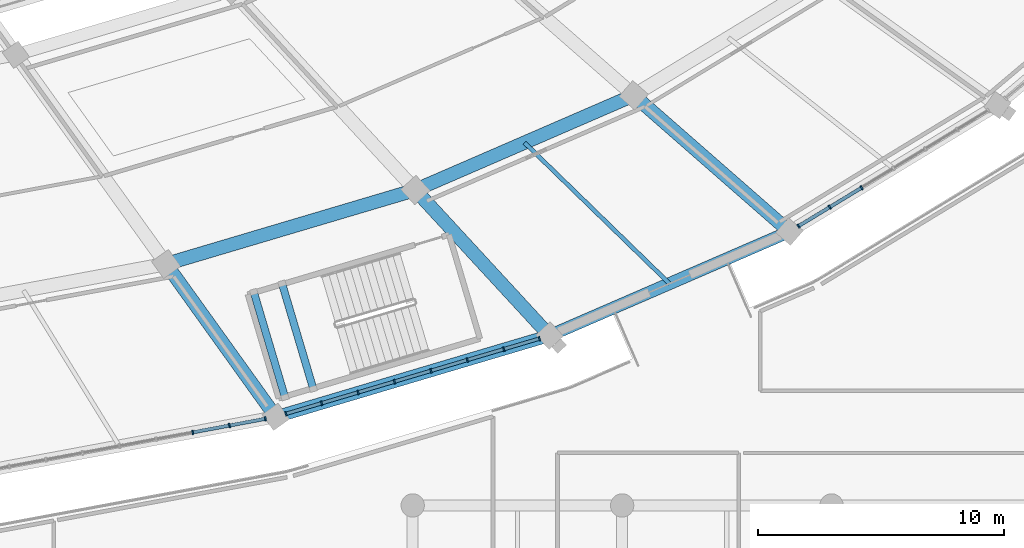
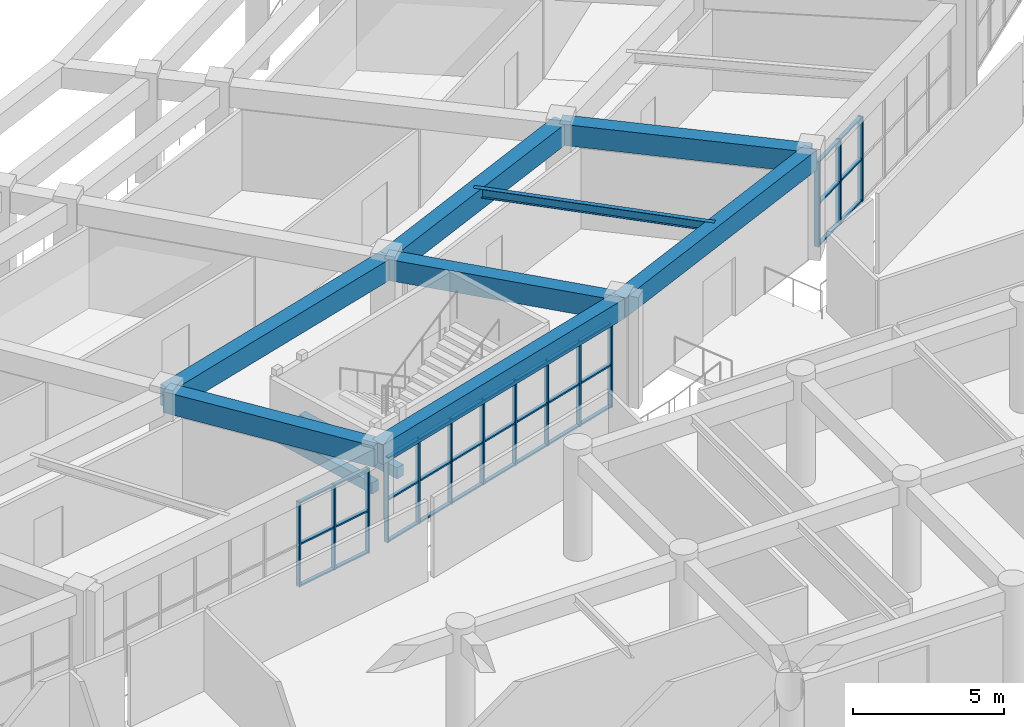
# One storey, part 38 of 145: 47 members, 10 beams, 3 elements without a shape of their own.
"""IFC4 building model written with IfcOpenShell, lengths in metres."""

from ifc_helpers import new_model, si_unit, direction, frame, origin, origin_2d, place, context, subcontext, project, spatial, rectangle, i_section, extrude, material, layer, layer_set, material_profile, profile_set, type_object, element, aggregate, save


model = new_model("IFC4")

# Units and contexts
model_context = context("Model", 3, precision=1e-05, world=origin(), true_north=direction((0.0, 1.0)))
body_context = subcontext(model_context, "Body", "Model", "MODEL_VIEW")
ifc_project = project(units=[si_unit("LENGTHUNIT", "METRE"), si_unit("AREAUNIT", "SQUARE_METRE"), si_unit("VOLUMEUNIT", "CUBIC_METRE"), si_unit("PLANEANGLEUNIT", "RADIAN"), si_unit("MASSUNIT", "GRAM", prefix="KILO")], contexts=[model_context])

# Site, building, storey
site_placement = place(None, origin())
site = spatial("IfcSite", under=ifc_project, at=site_placement, CompositionType="ELEMENT")
building_placement = place(site_placement, origin())
building = spatial("IfcBuilding", under=site, at=building_placement, Name="Mphavela Belvedere Stadium", CompositionType="ELEMENT")
storey_placement = place(building_placement, frame((0.0, 0.0, 10.199951171875)))
storey = spatial("IfcBuildingStorey", under=building, at=storey_placement, Name="L02", CompositionType="ELEMENT", Elevation=10.199951171875)

# Beams
ifc_material_1 = material(Name="Steel S355", Category="steel")
ifc_material_profile_1 = material_profile(ifc_material_1, i_section(OverallWidth=0.169921875, OverallDepth=0.360107421875, WebThickness=0.008056640625, FlangeThickness=0.0126953125, at=origin_2d()), Name="IPE 360")
ifc_profile_set_1 = profile_set([ifc_material_profile_1], Name="Steel S355")
beam_type_1 = type_object("IfcBeamType", Name="BM-JOIST-IPE360", PredefinedType="JOIST", material=ifc_profile_set_1)
beam_1_placement = place(storey_placement, frame((174.918212890625, 28.757568359375, 4.070068359375), z_axis=(0.717067022089, -0.697004222249, 0.0), x_axis=(0.697004222249, 0.717067022089, 0.0)))
element("IfcBeam", 1, at=beam_1_placement, inside=storey, type_object=beam_type_1, Name="Concourse floor joist L02-41", PredefinedType="JOIST", context=body_context, shape_type="SweptSolid", body=[
    extrude(i_section(OverallWidth=0.169921875, OverallDepth=0.360107421875, WebThickness=0.008056640625, FlangeThickness=0.0126953125, at=origin_2d()), origin(), (0.0, 0.0, 1.0), 8.22607421875),
])
ifc_material_2 = material(Name="Concrete C40/50", Category="concrete")
ifc_material_profile_2 = material_profile(ifc_material_2, rectangle(XDim=0.300048828125, YDim=0.449951171875, at=origin_2d()), Name="RC 300x450")
ifc_profile_set_2 = profile_set([ifc_material_profile_2], Name="Concrete C40/50")
beam_type_2 = type_object("IfcBeamType", Name="BM-RC300x450", PredefinedType="BEAM", material=ifc_profile_set_2)
beam_2_placement = place(storey_placement, frame((165.05419921875, 23.027099609375, 1.824951171875), z_axis=(0.284510445837, -0.958672940168, 0.0), x_axis=(0.958672940168, 0.284510445837, 0.0)))
element("IfcBeam", 2, at=beam_2_placement, inside=storey, type_object=beam_type_2, Name="Core P04 landing trimmer beam L02-1", PredefinedType="BEAM", context=body_context, shape_type="SweptSolid", body=[
    extrude(rectangle(XDim=0.300048828125, YDim=0.449951171875, at=origin_2d()), origin(), (0.0, 0.0, 1.0), 4.469970703125),
])
beam_3_placement = place(storey_placement, frame((163.90380859375, 22.685791015625, 1.824951171875), z_axis=(0.284495549112, -0.958677361022, 0.0), x_axis=(0.958677361022, 0.284495549112, 0.0)))
element("IfcBeam", 3, at=beam_3_placement, inside=storey, type_object=beam_type_2, Name="Core P04 landing trimmer beam L02-2", PredefinedType="BEAM", context=body_context, shape_type="SweptSolid", body=[
    extrude(rectangle(XDim=0.300048828125, YDim=0.449951171875, at=origin_2d()), origin(), (0.0, 0.0, 1.0), 4.47021484375),
])
ifc_material_3 = material(Name="Concrete C40/50", Category="concrete")
ifc_material_profile_3 = material_profile(ifc_material_3, rectangle(XDim=0.550048828125, YDim=0.85009765625, at=origin_2d()), Name="RC 550x850")
ifc_profile_set_3 = profile_set([ifc_material_profile_3], Name="Concrete C40/50")
beam_type_3 = type_object("IfcBeamType", Name="BM-RC550x850", PredefinedType="BEAM", material=ifc_profile_set_3)
beam_4_placement = place(storey_placement, frame((160.337890625, 23.822509765625, 3.824951171875), z_axis=(0.958655230784, 0.284570111731, 0.0), x_axis=(-0.284570111731, 0.958655230784, 0.0)))
element("IfcBeam", 4, at=beam_4_placement, inside=storey, type_object=beam_type_3, Name="Circumferential girder L02 R3-40", PredefinedType="BEAM", context=body_context, shape_type="SweptSolid", body=[
    extrude(rectangle(XDim=0.550048828125, YDim=0.85009765625, at=origin_2d()), origin(), (0.0, 0.0, 1.0), 10.57568359375),
])
beam_5_placement = place(storey_placement, frame((160.337890625, 23.822509765625, 3.824951171875), z_axis=(0.583043812448, -0.812440713385, 0.0), x_axis=(0.812440713385, 0.583043812448, 0.0)))
element("IfcBeam", 5, at=beam_5_placement, inside=storey, type_object=beam_type_3, Name="Radial concourse girder L02 R3R4-40", PredefinedType="BEAM", context=body_context, shape_type="SweptSolid", body=[
    extrude(rectangle(XDim=0.550048828125, YDim=0.85009765625, at=origin_2d()), origin(), (0.0, 0.0, 1.0), 7.6552734375),
])
beam_6_placement = place(storey_placement, frame((170.476318359375, 26.83203125, 3.824951171875), z_axis=(0.917501650019, 0.397731972832, 0.0), x_axis=(-0.397731972832, 0.917501650019, 0.0)))
element("IfcBeam", 6, at=beam_6_placement, inside=storey, type_object=beam_type_3, Name="Circumferential girder L02 R3-41", PredefinedType="BEAM", context=body_context, shape_type="SweptSolid", body=[
    extrude(rectangle(XDim=0.550048828125, YDim=0.85009765625, at=origin_2d()), origin(), (0.0, 0.0, 1.0), 9.6826171875),
])
beam_7_placement = place(storey_placement, frame((170.476318359375, 26.83203125, 3.824951171875), z_axis=(0.67784325477, -0.735206448532, 0.0), x_axis=(0.735206448532, 0.67784325477, 0.0)))
element("IfcBeam", 7, at=beam_7_placement, inside=storey, type_object=beam_type_3, Name="Radial concourse girder L02 R3R4-41", PredefinedType="BEAM", context=body_context, shape_type="SweptSolid", body=[
    extrude(rectangle(XDim=0.550048828125, YDim=0.85009765625, at=origin_2d()), origin(), (0.0, 0.0, 1.0), 8.056640625),
])
beam_8_placement = place(storey_placement, frame((179.360107421875, 30.68310546875, 3.824951171875), z_axis=(0.752589268993, -0.658490236978, 0.0), x_axis=(0.658490236978, 0.752589268993, 0.0)))
element("IfcBeam", 8, at=beam_8_placement, inside=storey, type_object=beam_type_3, Name="Radial concourse girder L02 R3R4-42", PredefinedType="BEAM", context=body_context, shape_type="SweptSolid", body=[
    extrude(rectangle(XDim=0.550048828125, YDim=0.85009765625, at=origin_2d()), origin(), (0.0, 0.0, 1.0), 8.419189453125),
])
ifc_material_4 = material(Name="Concrete C40/50", Category="concrete")
ifc_material_profile_4 = material_profile(ifc_material_4, rectangle(XDim=0.5, YDim=0.800048828125, at=origin_2d()), Name="RC 500x800")
ifc_profile_set_4 = profile_set([ifc_material_profile_4], Name="Concrete C40/50")
beam_type_4 = type_object("IfcBeamType", Name="BM-SPANDREL-800", PredefinedType="SPANDREL", material=ifc_profile_set_4)
beam_9_placement = place(storey_placement, frame((164.80126953125, 17.60302734375, 3.85009765625), z_axis=(0.958656362639, 0.284566298727, 0.0), x_axis=(-0.284566298727, 0.958656362639, 0.0)))
element("IfcBeam", 9, at=beam_9_placement, inside=storey, type_object=beam_type_4, Name="Circumferential girder L02 R4-40", PredefinedType="SPANDREL", context=body_context, shape_type="SweptSolid", body=[
    extrude(rectangle(XDim=0.5, YDim=0.800048828125, at=origin_2d()), origin(), (0.0, 0.0, 1.0), 11.616455078125),
])
beam_10_placement = place(storey_placement, frame((175.9375, 20.90869140625, 3.85009765625), z_axis=(0.91749867224, 0.397738842004, 0.0), x_axis=(-0.397738842004, 0.91749867224, 0.0)))
element("IfcBeam", 10, at=beam_10_placement, inside=storey, type_object=beam_type_4, Name="Circumferential girder L02 R4-41", PredefinedType="SPANDREL", context=body_context, shape_type="SweptSolid", body=[
    extrude(rectangle(XDim=0.5, YDim=0.800048828125, at=origin_2d()), origin(), (0.0, 0.0, 1.0), 10.63623046875),
])

# Curtain wall, members
ifc_material_5 = material(Name="Anodised bronze unitised curtain wall framing")
ifc_layer_1 = layer(ifc_material_5, 0.205078125)
ifc_layer_set_1 = layer_set([ifc_layer_1], Name="Anodised bronze unitised curtain wall framing")
curtain_wall_type_1 = type_object("IfcCurtainWallType", Name="CW-UNIT-06", PredefinedType="USERDEFINED", material=ifc_layer_set_1)
curtain_wall_1_placement = place(storey_placement, origin())
curtain_wall_1 = element("IfcCurtainWall", 11, at=curtain_wall_1_placement, inside=storey, type_object=curtain_wall_type_1, Name="Belvedere colonnade curtain wall L02-39", ObjectType="UNITISED CURTAIN WALL", PredefinedType="USERDEFINED")
ifc_material_6 = material(Name="Anodised bronze extruded aluminium", Category="aluminium")
ifc_material_profile_5 = material_profile(ifc_material_6, rectangle(XDim=0.179931640625, YDim=0.06494140625, at=origin_2d()), Name="CW-MUL 180x65")
ifc_profile_set_5 = profile_set([ifc_material_profile_5], Name="Anodised bronze extruded aluminium")
member_type_1 = type_object("IfcMemberType", Name="CWM-180x65", PredefinedType="MULLION", material=ifc_profile_set_5)
member_1_placement = place(storey_placement, frame((161.42333984375, 16.97412109375, 0.0), z_axis=(0.0, 0.0, 1.0), x_axis=(-0.1830849431, 0.983097097753, 0.0)))
member_1 = element("IfcMember", 12, at=member_1_placement, type_object=member_type_1, Name="CW-06 mullion 7", PredefinedType="MULLION", context=body_context, shape_type="SweptSolid", body=[
    extrude(rectangle(XDim=0.179931640625, YDim=0.06494140625, at=origin_2d()), origin(), (0.0, 0.0, 1.0), 3.420166015625),
])
member_2_placement = place(storey_placement, frame((162.916748046875, 17.252197265625, 0.0), z_axis=(0.0, 0.0, 1.0), x_axis=(-0.1830849431, 0.983097097753, 0.0)))
member_2 = element("IfcMember", 13, at=member_2_placement, type_object=member_type_1, Name="CW-06 mullion 8", PredefinedType="MULLION", context=body_context, shape_type="SweptSolid", body=[
    extrude(rectangle(XDim=0.179931640625, YDim=0.06494140625, at=origin_2d()), origin(), (0.0, 0.0, 1.0), 3.420166015625),
])
member_3_placement = place(storey_placement, frame((164.3779296875, 17.524169921875, 0.0), z_axis=(0.0, 0.0, 1.0), x_axis=(-0.1830849431, 0.983097097753, 0.0)))
member_3 = element("IfcMember", 14, at=member_3_placement, type_object=member_type_1, Name="CW-06 mullion 9", PredefinedType="MULLION", context=body_context, shape_type="SweptSolid", body=[
    extrude(rectangle(XDim=0.179931640625, YDim=0.06494140625, at=origin_2d()), origin(), (0.0, 0.0, 1.0), 3.420166015625),
])

ifc_material_7 = material(Name="Anodised bronze unitised curtain wall framing")
ifc_layer_2 = layer(ifc_material_7, 0.179931640625)
ifc_layer_set_2 = layer_set([ifc_layer_2], Name="Anodised bronze unitised curtain wall framing")
curtain_wall_type_2 = type_object("IfcCurtainWallType", Name="CW-UNIT-01", PredefinedType="USERDEFINED", material=ifc_layer_set_2)
curtain_wall_2_placement = place(storey_placement, origin())
curtain_wall_2 = element("IfcCurtainWall", 15, at=curtain_wall_2_placement, inside=storey, type_object=curtain_wall_type_2, Name="Belvedere colonnade curtain wall L02-40", ObjectType="UNITISED CURTAIN WALL", PredefinedType="USERDEFINED")
member_4_placement = place(storey_placement, frame((165.2138671875, 17.7255859375, 0.0), z_axis=(0.0, 0.0, 1.0), x_axis=(-0.284547064542, 0.95866207188, 0.0)))
member_4 = element("IfcMember", 16, at=member_4_placement, type_object=member_type_1, Name="CW-01 mullion 1", PredefinedType="MULLION", context=body_context, shape_type="SweptSolid", body=[
    extrude(rectangle(XDim=0.179931640625, YDim=0.06494140625, at=origin_2d()), origin(), (0.0, 0.0, 1.0), 3.420166015625),
])
member_5_placement = place(storey_placement, frame((166.66455078125, 18.15625, 0.0), z_axis=(0.0, 0.0, 1.0), x_axis=(-0.284547064542, 0.95866207188, 0.0)))
member_5 = element("IfcMember", 17, at=member_5_placement, type_object=member_type_1, Name="CW-01 mullion 2", PredefinedType="MULLION", context=body_context, shape_type="SweptSolid", body=[
    extrude(rectangle(XDim=0.179931640625, YDim=0.06494140625, at=origin_2d()), origin(), (0.0, 0.0, 1.0), 3.420166015625),
])
member_6_placement = place(storey_placement, frame((168.146484375, 18.59619140625, 0.0), z_axis=(0.0, 0.0, 1.0), x_axis=(-0.284547064542, 0.95866207188, 0.0)))
member_6 = element("IfcMember", 18, at=member_6_placement, type_object=member_type_1, Name="CW-01 mullion 3", PredefinedType="MULLION", context=body_context, shape_type="SweptSolid", body=[
    extrude(rectangle(XDim=0.179931640625, YDim=0.06494140625, at=origin_2d()), origin(), (0.0, 0.0, 1.0), 3.420166015625),
])
member_7_placement = place(storey_placement, frame((169.62841796875, 19.035888671875, 0.0), z_axis=(0.0, 0.0, 1.0), x_axis=(-0.284547064542, 0.95866207188, 0.0)))
member_7 = element("IfcMember", 19, at=member_7_placement, type_object=member_type_1, Name="CW-01 mullion 4", PredefinedType="MULLION", context=body_context, shape_type="SweptSolid", body=[
    extrude(rectangle(XDim=0.179931640625, YDim=0.06494140625, at=origin_2d()), origin(), (0.0, 0.0, 1.0), 3.420166015625),
])
member_8_placement = place(storey_placement, frame((171.1103515625, 19.475830078125, 0.0), z_axis=(0.0, 0.0, 1.0), x_axis=(-0.284547064542, 0.95866207188, 0.0)))
member_8 = element("IfcMember", 20, at=member_8_placement, type_object=member_type_1, Name="CW-01 mullion 5", PredefinedType="MULLION", context=body_context, shape_type="SweptSolid", body=[
    extrude(rectangle(XDim=0.179931640625, YDim=0.06494140625, at=origin_2d()), origin(), (0.0, 0.0, 1.0), 3.420166015625),
])
member_9_placement = place(storey_placement, frame((172.59228515625, 19.915771484375, 0.0), z_axis=(0.0, 0.0, 1.0), x_axis=(-0.284547064542, 0.95866207188, 0.0)))
member_9 = element("IfcMember", 21, at=member_9_placement, type_object=member_type_1, Name="CW-01 mullion 6", PredefinedType="MULLION", context=body_context, shape_type="SweptSolid", body=[
    extrude(rectangle(XDim=0.179931640625, YDim=0.06494140625, at=origin_2d()), origin(), (0.0, 0.0, 1.0), 3.420166015625),
])
member_10_placement = place(storey_placement, frame((174.07421875, 20.35546875, 0.0), z_axis=(0.0, 0.0, 1.0), x_axis=(-0.284547064542, 0.95866207188, 0.0)))
member_10 = element("IfcMember", 22, at=member_10_placement, type_object=member_type_1, Name="CW-01 mullion 7", PredefinedType="MULLION", context=body_context, shape_type="SweptSolid", body=[
    extrude(rectangle(XDim=0.179931640625, YDim=0.06494140625, at=origin_2d()), origin(), (0.0, 0.0, 1.0), 3.420166015625),
])
member_11_placement = place(storey_placement, frame((175.52490234375, 20.7861328125, 0.0), z_axis=(0.0, 0.0, 1.0), x_axis=(-0.284547064542, 0.95866207188, 0.0)))
member_11 = element("IfcMember", 23, at=member_11_placement, type_object=member_type_1, Name="CW-01 mullion 8", PredefinedType="MULLION", context=body_context, shape_type="SweptSolid", body=[
    extrude(rectangle(XDim=0.179931640625, YDim=0.06494140625, at=origin_2d()), origin(), (0.0, 0.0, 1.0), 3.420166015625),
])

ifc_material_8 = material(Name="Anodised bronze unitised curtain wall framing")
ifc_layer_3 = layer(ifc_material_8, 0.18505859375)
ifc_layer_set_3 = layer_set([ifc_layer_3], Name="Anodised bronze unitised curtain wall framing")
curtain_wall_type_3 = type_object("IfcCurtainWallType", Name="CW-UNIT-02", PredefinedType="USERDEFINED", material=ifc_layer_set_3)
curtain_wall_3_placement = place(storey_placement, origin())
curtain_wall_3 = element("IfcCurtainWall", 24, at=curtain_wall_3_placement, inside=storey, type_object=curtain_wall_type_3, Name="Belvedere colonnade curtain wall L02-42", ObjectType="UNITISED CURTAIN WALL", PredefinedType="USERDEFINED")
member_12_placement = place(storey_placement, frame((186.06396484375, 25.36279296875, 0.0), z_axis=(0.0, 0.0, 1.0), x_axis=(-0.519731623633, 0.85432958476, 0.0)))
member_12 = element("IfcMember", 25, at=member_12_placement, type_object=member_type_1, Name="CW-02 mullion 1", PredefinedType="MULLION", context=body_context, shape_type="SweptSolid", body=[
    extrude(rectangle(XDim=0.179931640625, YDim=0.06494140625, at=origin_2d()), origin(), (0.0, 0.0, 1.0), 3.420166015625),
])
member_13_placement = place(storey_placement, frame((187.332763671875, 26.134765625, 0.0), z_axis=(0.0, 0.0, 1.0), x_axis=(-0.519731623633, 0.85432958476, 0.0)))
member_13 = element("IfcMember", 26, at=member_13_placement, type_object=member_type_1, Name="CW-02 mullion 2", PredefinedType="MULLION", context=body_context, shape_type="SweptSolid", body=[
    extrude(rectangle(XDim=0.179931640625, YDim=0.06494140625, at=origin_2d()), origin(), (0.0, 0.0, 1.0), 3.420166015625),
])
member_14_placement = place(storey_placement, frame((188.62939453125, 26.923583984375, 0.0), z_axis=(0.0, 0.0, 1.0), x_axis=(-0.519731623633, 0.85432958476, 0.0)))
member_14 = element("IfcMember", 27, at=member_14_placement, type_object=member_type_1, Name="CW-02 mullion 3", PredefinedType="MULLION", context=body_context, shape_type="SweptSolid", body=[
    extrude(rectangle(XDim=0.179931640625, YDim=0.06494140625, at=origin_2d()), origin(), (0.0, 0.0, 1.0), 3.420166015625),
])

# Member
ifc_material_9 = material(Name="Anodised bronze extruded aluminium", Category="aluminium")
ifc_material_profile_6 = material_profile(ifc_material_9, rectangle(XDim=0.139892578125, YDim=0.06005859375, at=origin_2d()), Name="CW-TRN 140x60")
ifc_profile_set_6 = profile_set([ifc_material_profile_6], Name="Anodised bronze extruded aluminium")
member_type_2 = type_object("IfcMemberType", Name="CWT-140x60", PredefinedType="USERDEFINED", material=ifc_profile_set_6)
member_15_placement = place(storey_placement, frame((161.455322265625, 16.97998046875, 0.030029296875), z_axis=(0.983108977499, 0.18302114184, 0.0), x_axis=(-0.18302114184, 0.983108977499, 0.0)))
member_15 = element("IfcMember", 28, at=member_15_placement, type_object=member_type_2, Name="CW-06 transom 7.1", ObjectType="TRANSOM", PredefinedType="USERDEFINED", context=body_context, shape_type="SweptSolid", body=[
    extrude(rectangle(XDim=0.139892578125, YDim=0.06005859375, at=origin_2d()), origin(), (0.0, 0.0, 1.0), 1.4541015625),
])

member_16_placement = place(storey_placement, frame((161.455322265625, 16.97998046875, 1.7099609375), z_axis=(0.983108977499, 0.18302114184, 0.0), x_axis=(-0.18302114184, 0.983108977499, 0.0)))
member_16 = element("IfcMember", 29, at=member_16_placement, type_object=member_type_2, Name="CW-06 transom 7.2", ObjectType="TRANSOM", PredefinedType="USERDEFINED", context=body_context, shape_type="SweptSolid", body=[
    extrude(rectangle(XDim=0.139892578125, YDim=0.06005859375, at=origin_2d()), origin(), (0.0, 0.0, 1.0), 1.4541015625),
])

member_17_placement = place(storey_placement, frame((161.455322265625, 16.97998046875, 3.39013671875), z_axis=(0.983108977499, 0.18302114184, 0.0), x_axis=(-0.18302114184, 0.983108977499, 0.0)))
member_17 = element("IfcMember", 30, at=member_17_placement, type_object=member_type_2, Name="CW-06 transom 7.3", ObjectType="TRANSOM", PredefinedType="USERDEFINED", context=body_context, shape_type="SweptSolid", body=[
    extrude(rectangle(XDim=0.139892578125, YDim=0.06005859375, at=origin_2d()), origin(), (0.0, 0.0, 1.0), 1.4541015625),
])

member_18_placement = place(storey_placement, frame((162.94873046875, 17.258056640625, 0.030029296875), z_axis=(0.98309123567, 0.183116417477, 0.0), x_axis=(-0.183116417477, 0.98309123567, 0.0)))
member_18 = element("IfcMember", 31, at=member_18_placement, type_object=member_type_2, Name="CW-06 transom 8.1", ObjectType="TRANSOM", PredefinedType="USERDEFINED", context=body_context, shape_type="SweptSolid", body=[
    extrude(rectangle(XDim=0.139892578125, YDim=0.06005859375, at=origin_2d()), origin(), (0.0, 0.0, 1.0), 1.421142578125),
])

member_19_placement = place(storey_placement, frame((162.94873046875, 17.258056640625, 1.7099609375), z_axis=(0.98309123567, 0.183116417477, 0.0), x_axis=(-0.183116417477, 0.98309123567, 0.0)))
member_19 = element("IfcMember", 32, at=member_19_placement, type_object=member_type_2, Name="CW-06 transom 8.2", ObjectType="TRANSOM", PredefinedType="USERDEFINED", context=body_context, shape_type="SweptSolid", body=[
    extrude(rectangle(XDim=0.139892578125, YDim=0.06005859375, at=origin_2d()), origin(), (0.0, 0.0, 1.0), 1.421142578125),
])

member_20_placement = place(storey_placement, frame((162.94873046875, 17.258056640625, 3.39013671875), z_axis=(0.98309123567, 0.183116417477, 0.0), x_axis=(-0.183116417477, 0.98309123567, 0.0)))
member_20 = element("IfcMember", 33, at=member_20_placement, type_object=member_type_2, Name="CW-06 transom 8.3", ObjectType="TRANSOM", PredefinedType="USERDEFINED", context=body_context, shape_type="SweptSolid", body=[
    extrude(rectangle(XDim=0.139892578125, YDim=0.06005859375, at=origin_2d()), origin(), (0.0, 0.0, 1.0), 1.421142578125),
])

aggregate(curtain_wall_1, [member_1, member_2, member_3, member_15, member_16, member_17, member_18, member_19, member_20])

member_21_placement = place(storey_placement, frame((165.2451171875, 17.73486328125, 0.030029296875), z_axis=(0.95866195574, 0.284547455827, 0.0), x_axis=(-0.284547455827, 0.95866195574, 0.0)))
member_21 = element("IfcMember", 34, at=member_21_placement, type_object=member_type_2, Name="CW-01 transom 1.1", ObjectType="TRANSOM", PredefinedType="USERDEFINED", context=body_context, shape_type="SweptSolid", body=[
    extrude(rectangle(XDim=0.139892578125, YDim=0.06005859375, at=origin_2d()), origin(), (0.0, 0.0, 1.0), 1.4482421875),
])

member_22_placement = place(storey_placement, frame((165.2451171875, 17.73486328125, 1.7099609375), z_axis=(0.95866195574, 0.284547455827, 0.0), x_axis=(-0.284547455827, 0.95866195574, 0.0)))
member_22 = element("IfcMember", 35, at=member_22_placement, type_object=member_type_2, Name="CW-01 transom 1.2", ObjectType="TRANSOM", PredefinedType="USERDEFINED", context=body_context, shape_type="SweptSolid", body=[
    extrude(rectangle(XDim=0.139892578125, YDim=0.06005859375, at=origin_2d()), origin(), (0.0, 0.0, 1.0), 1.4482421875),
])

member_23_placement = place(storey_placement, frame((165.2451171875, 17.73486328125, 3.39013671875), z_axis=(0.95866195574, 0.284547455827, 0.0), x_axis=(-0.284547455827, 0.95866195574, 0.0)))
member_23 = element("IfcMember", 36, at=member_23_placement, type_object=member_type_2, Name="CW-01 transom 1.3", ObjectType="TRANSOM", PredefinedType="USERDEFINED", context=body_context, shape_type="SweptSolid", body=[
    extrude(rectangle(XDim=0.139892578125, YDim=0.06005859375, at=origin_2d()), origin(), (0.0, 0.0, 1.0), 1.4482421875),
])

member_24_placement = place(storey_placement, frame((166.69580078125, 18.16552734375, 0.030029296875), z_axis=(0.958661623614, 0.284548574782, 0.0), x_axis=(-0.284548574782, 0.958661623614, 0.0)))
member_24 = element("IfcMember", 37, at=member_24_placement, type_object=member_type_2, Name="CW-01 transom 2.1", ObjectType="TRANSOM", PredefinedType="USERDEFINED", context=body_context, shape_type="SweptSolid", body=[
    extrude(rectangle(XDim=0.139892578125, YDim=0.06005859375, at=origin_2d()), origin(), (0.0, 0.0, 1.0), 1.48095703125),
])

member_25_placement = place(storey_placement, frame((166.69580078125, 18.16552734375, 1.7099609375), z_axis=(0.958661623614, 0.284548574782, 0.0), x_axis=(-0.284548574782, 0.958661623614, 0.0)))
member_25 = element("IfcMember", 38, at=member_25_placement, type_object=member_type_2, Name="CW-01 transom 2.2", ObjectType="TRANSOM", PredefinedType="USERDEFINED", context=body_context, shape_type="SweptSolid", body=[
    extrude(rectangle(XDim=0.139892578125, YDim=0.06005859375, at=origin_2d()), origin(), (0.0, 0.0, 1.0), 1.48095703125),
])

member_26_placement = place(storey_placement, frame((166.69580078125, 18.16552734375, 3.39013671875), z_axis=(0.958661623614, 0.284548574782, 0.0), x_axis=(-0.284548574782, 0.958661623614, 0.0)))
member_26 = element("IfcMember", 39, at=member_26_placement, type_object=member_type_2, Name="CW-01 transom 2.3", ObjectType="TRANSOM", PredefinedType="USERDEFINED", context=body_context, shape_type="SweptSolid", body=[
    extrude(rectangle(XDim=0.139892578125, YDim=0.06005859375, at=origin_2d()), origin(), (0.0, 0.0, 1.0), 1.48095703125),
])

member_27_placement = place(storey_placement, frame((168.177734375, 18.60546875, 0.030029296875), z_axis=(0.958693247298, 0.284442010937, 0.0), x_axis=(-0.284442010937, 0.958693247298, 0.0)))
member_27 = element("IfcMember", 40, at=member_27_placement, type_object=member_type_2, Name="CW-01 transom 3.1", ObjectType="TRANSOM", PredefinedType="USERDEFINED", context=body_context, shape_type="SweptSolid", body=[
    extrude(rectangle(XDim=0.139892578125, YDim=0.06005859375, at=origin_2d()), origin(), (0.0, 0.0, 1.0), 1.480712890625),
])

member_28_placement = place(storey_placement, frame((168.177734375, 18.60546875, 1.7099609375), z_axis=(0.958693247298, 0.284442010937, 0.0), x_axis=(-0.284442010937, 0.958693247298, 0.0)))
member_28 = element("IfcMember", 41, at=member_28_placement, type_object=member_type_2, Name="CW-01 transom 3.2", ObjectType="TRANSOM", PredefinedType="USERDEFINED", context=body_context, shape_type="SweptSolid", body=[
    extrude(rectangle(XDim=0.139892578125, YDim=0.06005859375, at=origin_2d()), origin(), (0.0, 0.0, 1.0), 1.480712890625),
])

member_29_placement = place(storey_placement, frame((168.177734375, 18.60546875, 3.39013671875), z_axis=(0.958693247298, 0.284442010937, 0.0), x_axis=(-0.284442010937, 0.958693247298, 0.0)))
member_29 = element("IfcMember", 42, at=member_29_placement, type_object=member_type_2, Name="CW-01 transom 3.3", ObjectType="TRANSOM", PredefinedType="USERDEFINED", context=body_context, shape_type="SweptSolid", body=[
    extrude(rectangle(XDim=0.139892578125, YDim=0.06005859375, at=origin_2d()), origin(), (0.0, 0.0, 1.0), 1.480712890625),
])

member_30_placement = place(storey_placement, frame((169.65966796875, 19.045166015625, 0.030029296875), z_axis=(0.958648272072, 0.284593553078, 0.0), x_axis=(-0.284593553078, 0.958648272072, 0.0)))
member_30 = element("IfcMember", 43, at=member_30_placement, type_object=member_type_2, Name="CW-01 transom 4.1", ObjectType="TRANSOM", PredefinedType="USERDEFINED", context=body_context, shape_type="SweptSolid", body=[
    extrude(rectangle(XDim=0.139892578125, YDim=0.06005859375, at=origin_2d()), origin(), (0.0, 0.0, 1.0), 1.480712890625),
])

member_31_placement = place(storey_placement, frame((169.65966796875, 19.045166015625, 1.7099609375), z_axis=(0.958648272072, 0.284593553078, 0.0), x_axis=(-0.284593553078, 0.958648272072, 0.0)))
member_31 = element("IfcMember", 44, at=member_31_placement, type_object=member_type_2, Name="CW-01 transom 4.2", ObjectType="TRANSOM", PredefinedType="USERDEFINED", context=body_context, shape_type="SweptSolid", body=[
    extrude(rectangle(XDim=0.139892578125, YDim=0.06005859375, at=origin_2d()), origin(), (0.0, 0.0, 1.0), 1.480712890625),
])

member_32_placement = place(storey_placement, frame((169.65966796875, 19.045166015625, 3.39013671875), z_axis=(0.958648272072, 0.284593553078, 0.0), x_axis=(-0.284593553078, 0.958648272072, 0.0)))
member_32 = element("IfcMember", 45, at=member_32_placement, type_object=member_type_2, Name="CW-01 transom 4.3", ObjectType="TRANSOM", PredefinedType="USERDEFINED", context=body_context, shape_type="SweptSolid", body=[
    extrude(rectangle(XDim=0.139892578125, YDim=0.06005859375, at=origin_2d()), origin(), (0.0, 0.0, 1.0), 1.480712890625),
])

member_33_placement = place(storey_placement, frame((171.1416015625, 19.485107421875, 0.030029296875), z_axis=(0.958648272072, 0.284593553078, 0.0), x_axis=(-0.284593553078, 0.958648272072, 0.0)))
member_33 = element("IfcMember", 46, at=member_33_placement, type_object=member_type_2, Name="CW-01 transom 5.1", ObjectType="TRANSOM", PredefinedType="USERDEFINED", context=body_context, shape_type="SweptSolid", body=[
    extrude(rectangle(XDim=0.139892578125, YDim=0.06005859375, at=origin_2d()), origin(), (0.0, 0.0, 1.0), 1.480712890625),
])

member_34_placement = place(storey_placement, frame((171.1416015625, 19.485107421875, 1.7099609375), z_axis=(0.958648272072, 0.284593553078, 0.0), x_axis=(-0.284593553078, 0.958648272072, 0.0)))
member_34 = element("IfcMember", 47, at=member_34_placement, type_object=member_type_2, Name="CW-01 transom 5.2", ObjectType="TRANSOM", PredefinedType="USERDEFINED", context=body_context, shape_type="SweptSolid", body=[
    extrude(rectangle(XDim=0.139892578125, YDim=0.06005859375, at=origin_2d()), origin(), (0.0, 0.0, 1.0), 1.480712890625),
])

member_35_placement = place(storey_placement, frame((171.1416015625, 19.485107421875, 3.39013671875), z_axis=(0.958648272072, 0.284593553078, 0.0), x_axis=(-0.284593553078, 0.958648272072, 0.0)))
member_35 = element("IfcMember", 48, at=member_35_placement, type_object=member_type_2, Name="CW-01 transom 5.3", ObjectType="TRANSOM", PredefinedType="USERDEFINED", context=body_context, shape_type="SweptSolid", body=[
    extrude(rectangle(XDim=0.139892578125, YDim=0.06005859375, at=origin_2d()), origin(), (0.0, 0.0, 1.0), 1.480712890625),
])

member_36_placement = place(storey_placement, frame((172.62353515625, 19.925048828125, 0.030029296875), z_axis=(0.958693247298, 0.284442010937, 0.0), x_axis=(-0.284442010937, 0.958693247298, 0.0)))
member_36 = element("IfcMember", 49, at=member_36_placement, type_object=member_type_2, Name="CW-01 transom 6.1", ObjectType="TRANSOM", PredefinedType="USERDEFINED", context=body_context, shape_type="SweptSolid", body=[
    extrude(rectangle(XDim=0.139892578125, YDim=0.06005859375, at=origin_2d()), origin(), (0.0, 0.0, 1.0), 1.480712890625),
])

member_37_placement = place(storey_placement, frame((172.62353515625, 19.925048828125, 1.7099609375), z_axis=(0.958693247298, 0.284442010937, 0.0), x_axis=(-0.284442010937, 0.958693247298, 0.0)))
member_37 = element("IfcMember", 50, at=member_37_placement, type_object=member_type_2, Name="CW-01 transom 6.2", ObjectType="TRANSOM", PredefinedType="USERDEFINED", context=body_context, shape_type="SweptSolid", body=[
    extrude(rectangle(XDim=0.139892578125, YDim=0.06005859375, at=origin_2d()), origin(), (0.0, 0.0, 1.0), 1.480712890625),
])

member_38_placement = place(storey_placement, frame((172.62353515625, 19.925048828125, 3.39013671875), z_axis=(0.958693247298, 0.284442010937, 0.0), x_axis=(-0.284442010937, 0.958693247298, 0.0)))
member_38 = element("IfcMember", 51, at=member_38_placement, type_object=member_type_2, Name="CW-01 transom 6.3", ObjectType="TRANSOM", PredefinedType="USERDEFINED", context=body_context, shape_type="SweptSolid", body=[
    extrude(rectangle(XDim=0.139892578125, YDim=0.06005859375, at=origin_2d()), origin(), (0.0, 0.0, 1.0), 1.480712890625),
])

member_39_placement = place(storey_placement, frame((174.105224609375, 20.36474609375, 0.030029296875), z_axis=(0.958675601144, 0.284501479383, 0.0), x_axis=(-0.284501479383, 0.958675601144, 0.0)))
member_39 = element("IfcMember", 52, at=member_39_placement, type_object=member_type_2, Name="CW-01 transom 7.1", ObjectType="TRANSOM", PredefinedType="USERDEFINED", context=body_context, shape_type="SweptSolid", body=[
    extrude(rectangle(XDim=0.139892578125, YDim=0.06005859375, at=origin_2d()), origin(), (0.0, 0.0, 1.0), 1.448486328125),
])

member_40_placement = place(storey_placement, frame((174.105224609375, 20.36474609375, 1.7099609375), z_axis=(0.958675601144, 0.284501479383, 0.0), x_axis=(-0.284501479383, 0.958675601144, 0.0)))
member_40 = element("IfcMember", 53, at=member_40_placement, type_object=member_type_2, Name="CW-01 transom 7.2", ObjectType="TRANSOM", PredefinedType="USERDEFINED", context=body_context, shape_type="SweptSolid", body=[
    extrude(rectangle(XDim=0.139892578125, YDim=0.06005859375, at=origin_2d()), origin(), (0.0, 0.0, 1.0), 1.448486328125),
])

member_41_placement = place(storey_placement, frame((174.105224609375, 20.36474609375, 3.39013671875), z_axis=(0.958675601144, 0.284501479383, 0.0), x_axis=(-0.284501479383, 0.958675601144, 0.0)))
member_41 = element("IfcMember", 54, at=member_41_placement, type_object=member_type_2, Name="CW-01 transom 7.3", ObjectType="TRANSOM", PredefinedType="USERDEFINED", context=body_context, shape_type="SweptSolid", body=[
    extrude(rectangle(XDim=0.139892578125, YDim=0.06005859375, at=origin_2d()), origin(), (0.0, 0.0, 1.0), 1.448486328125),
])

aggregate(curtain_wall_2, [member_4, member_5, member_6, member_7, member_8, member_9, member_10, member_11, member_21, member_22, member_23, member_24, member_25, member_26, member_27, member_28, member_29, member_30, member_31, member_32, member_33, member_34, member_35, member_36, member_37, member_38, member_39, member_40, member_41])

member_42_placement = place(storey_placement, frame((186.091796875, 25.3798828125, 0.030029296875), z_axis=(0.854321372969, 0.519745121852, 0.0), x_axis=(-0.519745121852, 0.854321372969, 0.0)))
member_42 = element("IfcMember", 55, at=member_42_placement, type_object=member_type_2, Name="CW-02 transom 1.1", ObjectType="TRANSOM", PredefinedType="USERDEFINED", context=body_context, shape_type="SweptSolid", body=[
    extrude(rectangle(XDim=0.139892578125, YDim=0.06005859375, at=origin_2d()), origin(), (0.0, 0.0, 1.0), 1.419921875),
])

member_43_placement = place(storey_placement, frame((186.091796875, 25.3798828125, 1.7099609375), z_axis=(0.854321372969, 0.519745121852, 0.0), x_axis=(-0.519745121852, 0.854321372969, 0.0)))
member_43 = element("IfcMember", 56, at=member_43_placement, type_object=member_type_2, Name="CW-02 transom 1.2", ObjectType="TRANSOM", PredefinedType="USERDEFINED", context=body_context, shape_type="SweptSolid", body=[
    extrude(rectangle(XDim=0.139892578125, YDim=0.06005859375, at=origin_2d()), origin(), (0.0, 0.0, 1.0), 1.419921875),
])

member_44_placement = place(storey_placement, frame((186.091796875, 25.3798828125, 3.39013671875), z_axis=(0.854321372969, 0.519745121852, 0.0), x_axis=(-0.519745121852, 0.854321372969, 0.0)))
member_44 = element("IfcMember", 57, at=member_44_placement, type_object=member_type_2, Name="CW-02 transom 1.3", ObjectType="TRANSOM", PredefinedType="USERDEFINED", context=body_context, shape_type="SweptSolid", body=[
    extrude(rectangle(XDim=0.139892578125, YDim=0.06005859375, at=origin_2d()), origin(), (0.0, 0.0, 1.0), 1.419921875),
])

member_45_placement = place(storey_placement, frame((187.360595703125, 26.151611328125, 0.030029296875), z_axis=(0.854273190748, 0.519824312214, 0.0), x_axis=(-0.519824312214, 0.854273190748, 0.0)))
member_45 = element("IfcMember", 58, at=member_45_placement, type_object=member_type_2, Name="CW-02 transom 2.1", ObjectType="TRANSOM", PredefinedType="USERDEFINED", context=body_context, shape_type="SweptSolid", body=[
    extrude(rectangle(XDim=0.139892578125, YDim=0.06005859375, at=origin_2d()), origin(), (0.0, 0.0, 1.0), 1.45263671875),
])

member_46_placement = place(storey_placement, frame((187.360595703125, 26.151611328125, 1.7099609375), z_axis=(0.854273190748, 0.519824312214, 0.0), x_axis=(-0.519824312214, 0.854273190748, 0.0)))
member_46 = element("IfcMember", 59, at=member_46_placement, type_object=member_type_2, Name="CW-02 transom 2.2", ObjectType="TRANSOM", PredefinedType="USERDEFINED", context=body_context, shape_type="SweptSolid", body=[
    extrude(rectangle(XDim=0.139892578125, YDim=0.06005859375, at=origin_2d()), origin(), (0.0, 0.0, 1.0), 1.45263671875),
])

member_47_placement = place(storey_placement, frame((187.360595703125, 26.151611328125, 3.39013671875), z_axis=(0.854273190748, 0.519824312214, 0.0), x_axis=(-0.519824312214, 0.854273190748, 0.0)))
member_47 = element("IfcMember", 60, at=member_47_placement, type_object=member_type_2, Name="CW-02 transom 2.3", ObjectType="TRANSOM", PredefinedType="USERDEFINED", context=body_context, shape_type="SweptSolid", body=[
    extrude(rectangle(XDim=0.139892578125, YDim=0.06005859375, at=origin_2d()), origin(), (0.0, 0.0, 1.0), 1.45263671875),
])

aggregate(curtain_wall_3, [member_12, member_13, member_14, member_42, member_43, member_44, member_45, member_46, member_47])

save(model, "model.ifc")
